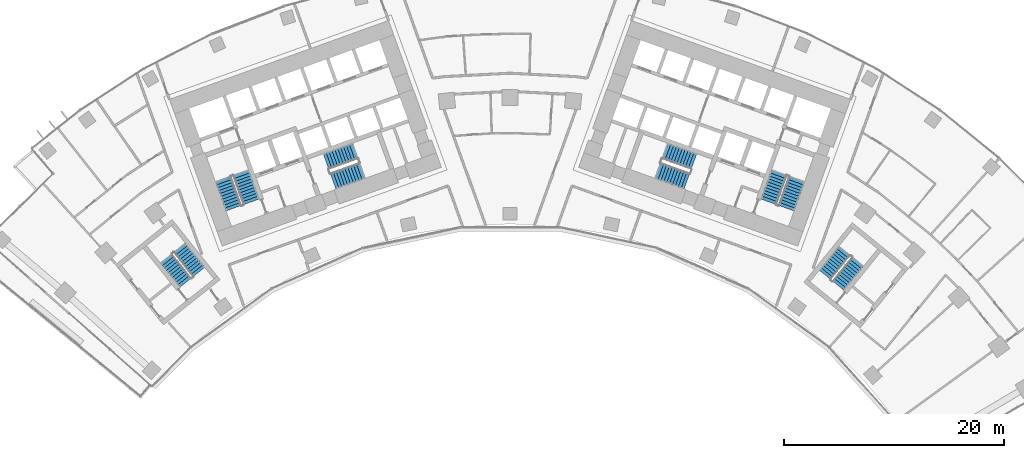
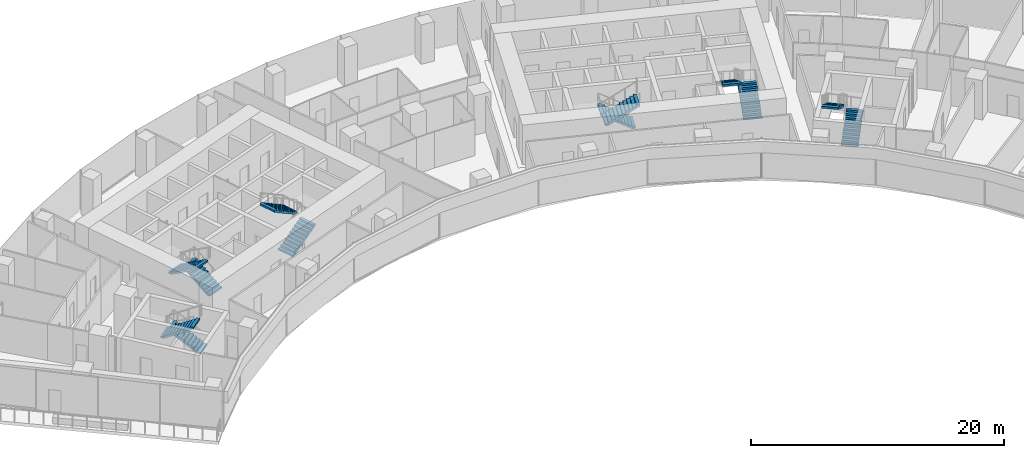
# One storey, part 19 of 21: 12 stair flights, 6 elements without a shape of their own.
"""IFC4 building model written with IfcOpenShell, lengths in metres."""

from ifc_helpers import new_model, si_unit, direction, frame, origin, place, context, subcontext, project, spatial, polyline, outline, extrude, material, type_object, element, aggregate, save


model = new_model("IFC4")

# Units and contexts
model_context = context("Model", 3, precision=1e-05, world=origin(), true_north=direction((0.0, 1.0)))
body_context = subcontext(model_context, "Body", "Model", "MODEL_VIEW")
ifc_project = project(units=[si_unit("LENGTHUNIT", "METRE"), si_unit("AREAUNIT", "SQUARE_METRE"), si_unit("VOLUMEUNIT", "CUBIC_METRE"), si_unit("PLANEANGLEUNIT", "RADIAN"), si_unit("MASSUNIT", "GRAM", prefix="KILO")], contexts=[model_context])

# Site, building, storey
site_placement = place(None, origin())
site = spatial("IfcSite", under=ifc_project, at=site_placement, CompositionType="ELEMENT")
building_placement = place(site_placement, origin())
building = spatial("IfcBuilding", under=site, at=building_placement, Name="Stone Belt Terrace Tower", CompositionType="ELEMENT")
storey_placement = place(building_placement, frame((0.0, 0.0, 113.60009765625)))
storey = spatial("IfcBuildingStorey", under=building, at=storey_placement, Name="L27", CompositionType="ELEMENT", Elevation=113.60009765625)

# Stair, stair flights
ifc_material = material(Name="Concrete B40", Category="concrete")
stair_type = type_object("IfcStairType", Name="Exit stair 1500", PredefinedType="HALF_TURN_STAIR", material=ifc_material)
stair_1_placement = place(storey_placement, origin())
stair_1 = element("IfcStair", 1, at=stair_1_placement, inside=storey, type_object=stair_type, Name="L27 Exit stair 1 core A", PredefinedType="HALF_TURN_STAIR")
stair_flight_type = type_object("IfcStairFlightType", Name="Stair flight 1500", PredefinedType="STRAIGHT", material=ifc_material)
stair_flight_1_placement = place(storey_placement, frame((-23.55322265625, 45.51318359375, 0.0), z_axis=(0.0, 0.0, 1.0), x_axis=(-0.338624396177, 0.940921632398, 0.0)))
stair_flight_1 = element("IfcStairFlight", 2, at=stair_flight_1_placement, type_object=stair_flight_type, Name="ST1A flight 1", NumberOfRisers=11, NumberOfTreads=10, PredefinedType="STRAIGHT", RiserHeight=0.172727273, TreadLength=0.28, context=body_context, shape_type="SweptSolid", body=[
    extrude(outline(polyline([(0.0, 0.0), (0.0, 0.172607421875), (0.280029296875, 0.172607421875), (0.280029296875, 0.345458984375), (0.56005859375, 0.345458984375), (0.56005859375, 0.51806640625), (0.840087890625, 0.51806640625), (0.840087890625, 0.69091796875), (1.1201171875, 0.69091796875), (1.1201171875, 0.863525390625), (1.39990234375, 0.863525390625), (1.39990234375, 1.036376953125), (1.679931640625, 1.036376953125), (1.679931640625, 1.208984375), (1.9599609375, 1.208984375), (1.9599609375, 1.3818359375), (2.239990234375, 1.3818359375), (2.239990234375, 1.554443359375), (2.52001953125, 1.554443359375), (2.52001953125, 1.727294921875), (2.800048828125, 1.727294921875), (2.800048828125, 1.89990234375), (2.800048828125, 1.551025390625), (0.285400390625, 0.0), (0.0, 0.0)])), frame((0.0, 0.75, 0.0), z_axis=(0.0, -1.0, 0.0), x_axis=(1.0, 0.0, 0.0)), (0.0, 0.0, 1.0), 1.5),
])
stair_flight_2_placement = place(storey_placement, frame((-26.10107421875, 47.572021484375, 1.89990234375), z_axis=(0.0, 0.0, 1.0), x_axis=(0.338624396177, -0.940921632398, 0.0)))
stair_flight_2 = element("IfcStairFlight", 3, at=stair_flight_2_placement, type_object=stair_flight_type, Name="ST1A flight 2", NumberOfRisers=11, NumberOfTreads=10, PredefinedType="STRAIGHT", RiserHeight=0.172727273, TreadLength=0.28, context=body_context, shape_type="SweptSolid", body=[
    extrude(outline(polyline([(0.0, 0.0), (0.0, 0.172607421875), (0.280029296875, 0.172607421875), (0.280029296875, 0.345458984375), (0.56005859375, 0.345458984375), (0.56005859375, 0.51806640625), (0.840087890625, 0.51806640625), (0.840087890625, 0.69091796875), (1.1201171875, 0.69091796875), (1.1201171875, 0.863525390625), (1.39990234375, 0.863525390625), (1.39990234375, 1.036376953125), (1.679931640625, 1.036376953125), (1.679931640625, 1.208984375), (1.9599609375, 1.208984375), (1.9599609375, 1.3818359375), (2.239990234375, 1.3818359375), (2.239990234375, 1.554443359375), (2.52001953125, 1.554443359375), (2.52001953125, 1.727294921875), (2.800048828125, 1.727294921875), (2.800048828125, 1.89990234375), (2.800048828125, 1.551025390625), (0.285400390625, 0.0), (0.0, 0.0)])), frame((0.0, 0.75, 0.0), z_axis=(0.0, -1.0, 0.0), x_axis=(1.0, 0.0, 0.0)), (0.0, 0.0, 1.0), 1.5),
])
aggregate(stair_1, [stair_flight_1, stair_flight_2])

stair_2_placement = place(storey_placement, origin())
stair_2 = element("IfcStair", 4, at=stair_2_placement, inside=storey, type_object=stair_type, Name="L27 Exit stair 2 core A", PredefinedType="HALF_TURN_STAIR")
stair_flight_3_placement = place(storey_placement, frame((-16.101318359375, 47.39794921875, 0.0), z_axis=(0.0, 0.0, 1.0), x_axis=(0.940921632398, 0.338624396177, 0.0)))
stair_flight_3 = element("IfcStairFlight", 5, at=stair_flight_3_placement, type_object=stair_flight_type, Name="ST2A flight 1", NumberOfRisers=11, NumberOfTreads=10, PredefinedType="STRAIGHT", RiserHeight=0.172727273, TreadLength=0.28, context=body_context, shape_type="SweptSolid", body=[
    extrude(outline(polyline([(0.0, 0.0), (0.0, 0.172607421875), (0.280029296875, 0.172607421875), (0.280029296875, 0.345458984375), (0.56005859375, 0.345458984375), (0.56005859375, 0.51806640625), (0.840087890625, 0.51806640625), (0.840087890625, 0.69091796875), (1.1201171875, 0.69091796875), (1.1201171875, 0.863525390625), (1.39990234375, 0.863525390625), (1.39990234375, 1.036376953125), (1.679931640625, 1.036376953125), (1.679931640625, 1.208984375), (1.9599609375, 1.208984375), (1.9599609375, 1.3818359375), (2.239990234375, 1.3818359375), (2.239990234375, 1.554443359375), (2.52001953125, 1.554443359375), (2.52001953125, 1.727294921875), (2.800048828125, 1.727294921875), (2.800048828125, 1.89990234375), (2.800048828125, 1.551025390625), (0.285400390625, 0.0), (0.0, 0.0)])), frame((0.0, 0.75, 0.0), z_axis=(0.0, -1.0, 0.0), x_axis=(1.0, 0.0, 0.0)), (0.0, 0.0, 1.0), 1.5),
])
stair_flight_4_placement = place(storey_placement, frame((-14.110107421875, 50.1337890625, 1.89990234375), z_axis=(0.0, 0.0, 1.0), x_axis=(-0.940921632398, -0.338624396177, 0.0)))
stair_flight_4 = element("IfcStairFlight", 6, at=stair_flight_4_placement, type_object=stair_flight_type, Name="ST2A flight 2", NumberOfRisers=11, NumberOfTreads=10, PredefinedType="STRAIGHT", RiserHeight=0.172727273, TreadLength=0.28, context=body_context, shape_type="SweptSolid", body=[
    extrude(outline(polyline([(0.0, 0.0), (0.0, 0.172607421875), (0.280029296875, 0.172607421875), (0.280029296875, 0.345458984375), (0.56005859375, 0.345458984375), (0.56005859375, 0.51806640625), (0.840087890625, 0.51806640625), (0.840087890625, 0.69091796875), (1.1201171875, 0.69091796875), (1.1201171875, 0.863525390625), (1.39990234375, 0.863525390625), (1.39990234375, 1.036376953125), (1.679931640625, 1.036376953125), (1.679931640625, 1.208984375), (1.9599609375, 1.208984375), (1.9599609375, 1.3818359375), (2.239990234375, 1.3818359375), (2.239990234375, 1.554443359375), (2.52001953125, 1.554443359375), (2.52001953125, 1.727294921875), (2.800048828125, 1.727294921875), (2.800048828125, 1.89990234375), (2.800048828125, 1.551025390625), (0.285400390625, 0.0), (0.0, 0.0)])), frame((0.0, 0.75, 0.0), z_axis=(0.0, -1.0, 0.0), x_axis=(1.0, 0.0, 0.0)), (0.0, 0.0, 1.0), 1.5),
])
aggregate(stair_2, [stair_flight_3, stair_flight_4])

stair_3_placement = place(storey_placement, origin())
stair_3 = element("IfcStair", 7, at=stair_3_placement, inside=storey, type_object=stair_type, Name="L27 Exit stair 1 core B", PredefinedType="HALF_TURN_STAIR")
stair_flight_5_placement = place(storey_placement, frame((25.15283203125, 44.9375, 0.0), z_axis=(0.0, 0.0, 1.0), x_axis=(0.338624396177, 0.940921632398, 0.0)))
stair_flight_5 = element("IfcStairFlight", 8, at=stair_flight_5_placement, type_object=stair_flight_type, Name="ST1B flight 1", NumberOfRisers=11, NumberOfTreads=10, PredefinedType="STRAIGHT", RiserHeight=0.172727273, TreadLength=0.28, context=body_context, shape_type="SweptSolid", body=[
    extrude(outline(polyline([(0.0, 0.0), (0.0, 0.172607421875), (0.280029296875, 0.172607421875), (0.280029296875, 0.345458984375), (0.56005859375, 0.345458984375), (0.56005859375, 0.51806640625), (0.840087890625, 0.51806640625), (0.840087890625, 0.69091796875), (1.1201171875, 0.69091796875), (1.1201171875, 0.863525390625), (1.39990234375, 0.863525390625), (1.39990234375, 1.036376953125), (1.679931640625, 1.036376953125), (1.679931640625, 1.208984375), (1.9599609375, 1.208984375), (1.9599609375, 1.3818359375), (2.239990234375, 1.3818359375), (2.239990234375, 1.554443359375), (2.52001953125, 1.554443359375), (2.52001953125, 1.727294921875), (2.800048828125, 1.727294921875), (2.800048828125, 1.89990234375), (2.800048828125, 1.551025390625), (0.285400390625, 0.0), (0.0, 0.0)])), frame((0.0, 0.75, 0.0), z_axis=(0.0, -1.0, 0.0), x_axis=(1.0, 0.0, 0.0)), (0.0, 0.0, 1.0), 1.5),
])
stair_flight_6_placement = place(storey_placement, frame((24.50146484375, 48.147705078125, 1.89990234375), z_axis=(0.0, 0.0, 1.0), x_axis=(-0.338624396177, -0.940921632398, 0.0)))
stair_flight_6 = element("IfcStairFlight", 9, at=stair_flight_6_placement, type_object=stair_flight_type, Name="ST1B flight 2", NumberOfRisers=11, NumberOfTreads=10, PredefinedType="STRAIGHT", RiserHeight=0.172727273, TreadLength=0.28, context=body_context, shape_type="SweptSolid", body=[
    extrude(outline(polyline([(0.0, 0.0), (0.0, 0.172607421875), (0.280029296875, 0.172607421875), (0.280029296875, 0.345458984375), (0.56005859375, 0.345458984375), (0.56005859375, 0.51806640625), (0.840087890625, 0.51806640625), (0.840087890625, 0.69091796875), (1.1201171875, 0.69091796875), (1.1201171875, 0.863525390625), (1.39990234375, 0.863525390625), (1.39990234375, 1.036376953125), (1.679931640625, 1.036376953125), (1.679931640625, 1.208984375), (1.9599609375, 1.208984375), (1.9599609375, 1.3818359375), (2.239990234375, 1.3818359375), (2.239990234375, 1.554443359375), (2.52001953125, 1.554443359375), (2.52001953125, 1.727294921875), (2.800048828125, 1.727294921875), (2.800048828125, 1.89990234375), (2.800048828125, 1.551025390625), (0.285400390625, 0.0), (0.0, 0.0)])), frame((0.0, 0.75, 0.0), z_axis=(0.0, -1.0, 0.0), x_axis=(1.0, 0.0, 0.0)), (0.0, 0.0, 1.0), 1.5),
])
aggregate(stair_3, [stair_flight_5, stair_flight_6])

stair_4_placement = place(storey_placement, origin())
stair_4 = element("IfcStair", 10, at=stair_4_placement, inside=storey, type_object=stair_type, Name="L27 Exit stair 2 core B", PredefinedType="HALF_TURN_STAIR")
stair_flight_7_placement = place(storey_placement, frame((16.74462890625, 49.185546875, 0.0), z_axis=(0.0, 0.0, 1.0), x_axis=(-0.940921632398, 0.338624396177, 0.0)))
stair_flight_7 = element("IfcStairFlight", 11, at=stair_flight_7_placement, type_object=stair_flight_type, Name="ST2B flight 1", NumberOfRisers=11, NumberOfTreads=10, PredefinedType="STRAIGHT", RiserHeight=0.172727273, TreadLength=0.28, context=body_context, shape_type="SweptSolid", body=[
    extrude(outline(polyline([(0.0, 0.0), (0.0, 0.172607421875), (0.280029296875, 0.172607421875), (0.280029296875, 0.345458984375), (0.56005859375, 0.345458984375), (0.56005859375, 0.51806640625), (0.840087890625, 0.51806640625), (0.840087890625, 0.69091796875), (1.1201171875, 0.69091796875), (1.1201171875, 0.863525390625), (1.39990234375, 0.863525390625), (1.39990234375, 1.036376953125), (1.679931640625, 1.036376953125), (1.679931640625, 1.208984375), (1.9599609375, 1.208984375), (1.9599609375, 1.3818359375), (2.239990234375, 1.3818359375), (2.239990234375, 1.554443359375), (2.52001953125, 1.554443359375), (2.52001953125, 1.727294921875), (2.800048828125, 1.727294921875), (2.800048828125, 1.89990234375), (2.800048828125, 1.551025390625), (0.285400390625, 0.0), (0.0, 0.0)])), frame((0.0, 0.75, 0.0), z_axis=(0.0, -1.0, 0.0), x_axis=(1.0, 0.0, 0.0)), (0.0, 0.0, 1.0), 1.5),
])
stair_flight_8_placement = place(storey_placement, frame((13.466796875, 48.345947265625, 1.89990234375), z_axis=(0.0, 0.0, 1.0), x_axis=(0.940921632398, -0.338624396177, 0.0)))
stair_flight_8 = element("IfcStairFlight", 12, at=stair_flight_8_placement, type_object=stair_flight_type, Name="ST2B flight 2", NumberOfRisers=11, NumberOfTreads=10, PredefinedType="STRAIGHT", RiserHeight=0.172727273, TreadLength=0.28, context=body_context, shape_type="SweptSolid", body=[
    extrude(outline(polyline([(0.0, 0.0), (0.0, 0.172607421875), (0.280029296875, 0.172607421875), (0.280029296875, 0.345458984375), (0.56005859375, 0.345458984375), (0.56005859375, 0.51806640625), (0.840087890625, 0.51806640625), (0.840087890625, 0.69091796875), (1.1201171875, 0.69091796875), (1.1201171875, 0.863525390625), (1.39990234375, 0.863525390625), (1.39990234375, 1.036376953125), (1.679931640625, 1.036376953125), (1.679931640625, 1.208984375), (1.9599609375, 1.208984375), (1.9599609375, 1.3818359375), (2.239990234375, 1.3818359375), (2.239990234375, 1.554443359375), (2.52001953125, 1.554443359375), (2.52001953125, 1.727294921875), (2.800048828125, 1.727294921875), (2.800048828125, 1.89990234375), (2.800048828125, 1.551025390625), (0.285400390625, 0.0), (0.0, 0.0)])), frame((0.0, 0.75, 0.0), z_axis=(0.0, -1.0, 0.0), x_axis=(1.0, 0.0, 0.0)), (0.0, 0.0, 1.0), 1.5),
])
aggregate(stair_4, [stair_flight_7, stair_flight_8])

stair_5_placement = place(storey_placement, origin())
stair_5 = element("IfcStair", 13, at=stair_5_placement, inside=storey, type_object=stair_type, Name="L27 Exit stair 3A", PredefinedType="HALF_TURN_STAIR")
stair_flight_9_placement = place(storey_placement, frame((-28.325439453125, 39.1240234375, 0.0), z_axis=(0.0, 0.0, 1.0), x_axis=(-0.623121363691, 0.782125160132, 0.0)))
stair_flight_9 = element("IfcStairFlight", 14, at=stair_flight_9_placement, type_object=stair_flight_type, Name="ST3A flight 1", NumberOfRisers=11, NumberOfTreads=10, PredefinedType="STRAIGHT", RiserHeight=0.172727273, TreadLength=0.28, context=body_context, shape_type="SweptSolid", body=[
    extrude(outline(polyline([(0.0, 0.0), (0.0, 0.172607421875), (0.280029296875, 0.172607421875), (0.280029296875, 0.345458984375), (0.56005859375, 0.345458984375), (0.56005859375, 0.51806640625), (0.840087890625, 0.51806640625), (0.840087890625, 0.69091796875), (1.1201171875, 0.69091796875), (1.1201171875, 0.863525390625), (1.39990234375, 0.863525390625), (1.39990234375, 1.036376953125), (1.679931640625, 1.036376953125), (1.679931640625, 1.208984375), (1.9599609375, 1.208984375), (1.9599609375, 1.3818359375), (2.239990234375, 1.3818359375), (2.239990234375, 1.554443359375), (2.52001953125, 1.554443359375), (2.52001953125, 1.727294921875), (2.800048828125, 1.727294921875), (2.800048828125, 1.89990234375), (2.800048828125, 1.551025390625), (0.285400390625, 0.0), (0.0, 0.0)])), frame((0.0, 0.675048828125, 0.0), z_axis=(0.0, -1.0, 0.0), x_axis=(1.0, 0.0, 0.0)), (0.0, 0.0, 1.0), 1.35009765625),
])
stair_flight_10_placement = place(storey_placement, frame((-31.282470703125, 40.34814453125, 1.89990234375), z_axis=(0.0, 0.0, 1.0), x_axis=(0.623121363691, -0.782125160132, 0.0)))
stair_flight_10 = element("IfcStairFlight", 15, at=stair_flight_10_placement, type_object=stair_flight_type, Name="ST3A flight 2", NumberOfRisers=11, NumberOfTreads=10, PredefinedType="STRAIGHT", RiserHeight=0.172727273, TreadLength=0.28, context=body_context, shape_type="SweptSolid", body=[
    extrude(outline(polyline([(0.0, 0.0), (0.0, 0.172607421875), (0.280029296875, 0.172607421875), (0.280029296875, 0.345458984375), (0.56005859375, 0.345458984375), (0.56005859375, 0.51806640625), (0.840087890625, 0.51806640625), (0.840087890625, 0.69091796875), (1.1201171875, 0.69091796875), (1.1201171875, 0.863525390625), (1.39990234375, 0.863525390625), (1.39990234375, 1.036376953125), (1.679931640625, 1.036376953125), (1.679931640625, 1.208984375), (1.9599609375, 1.208984375), (1.9599609375, 1.3818359375), (2.239990234375, 1.3818359375), (2.239990234375, 1.554443359375), (2.52001953125, 1.554443359375), (2.52001953125, 1.727294921875), (2.800048828125, 1.727294921875), (2.800048828125, 1.89990234375), (2.800048828125, 1.551025390625), (0.285400390625, 0.0), (0.0, 0.0)])), frame((0.0, 0.675048828125, 0.0), z_axis=(0.0, -1.0, 0.0), x_axis=(1.0, 0.0, 0.0)), (0.0, 0.0, 1.0), 1.35009765625),
])
aggregate(stair_5, [stair_flight_9, stair_flight_10])

stair_6_placement = place(storey_placement, origin())
stair_6 = element("IfcStair", 16, at=stair_6_placement, inside=storey, type_object=stair_type, Name="L27 Exit stair 3B", PredefinedType="HALF_TURN_STAIR")
stair_flight_11_placement = place(storey_placement, frame((29.88330078125, 37.887939453125, 0.0), z_axis=(0.0, 0.0, 1.0), x_axis=(0.630205749599, 0.776428176441, 0.0)))
stair_flight_11 = element("IfcStairFlight", 17, at=stair_flight_11_placement, type_object=stair_flight_type, Name="ST3B flight 1", NumberOfRisers=11, NumberOfTreads=10, PredefinedType="STRAIGHT", RiserHeight=0.172727273, TreadLength=0.28, context=body_context, shape_type="SweptSolid", body=[
    extrude(outline(polyline([(0.0, 0.0), (0.0, 0.172607421875), (0.280029296875, 0.172607421875), (0.280029296875, 0.345458984375), (0.56005859375, 0.345458984375), (0.56005859375, 0.51806640625), (0.840087890625, 0.51806640625), (0.840087890625, 0.69091796875), (1.1201171875, 0.69091796875), (1.1201171875, 0.863525390625), (1.39990234375, 0.863525390625), (1.39990234375, 1.036376953125), (1.679931640625, 1.036376953125), (1.679931640625, 1.208984375), (1.9599609375, 1.208984375), (1.9599609375, 1.3818359375), (2.239990234375, 1.3818359375), (2.239990234375, 1.554443359375), (2.52001953125, 1.554443359375), (2.52001953125, 1.727294921875), (2.800048828125, 1.727294921875), (2.800048828125, 1.89990234375), (2.800048828125, 1.551025390625), (0.285400390625, 0.0), (0.0, 0.0)])), frame((0.0, 0.675048828125, 0.0), z_axis=(0.0, -1.0, 0.0), x_axis=(1.0, 0.0, 0.0)), (0.0, 0.0, 1.0), 1.35009765625),
])
stair_flight_12_placement = place(storey_placement, frame((30.4443359375, 41.038818359375, 1.89990234375), z_axis=(0.0, 0.0, 1.0), x_axis=(-0.630205749599, -0.776428176441, 0.0)))
stair_flight_12 = element("IfcStairFlight", 18, at=stair_flight_12_placement, type_object=stair_flight_type, Name="ST3B flight 2", NumberOfRisers=11, NumberOfTreads=10, PredefinedType="STRAIGHT", RiserHeight=0.172727273, TreadLength=0.28, context=body_context, shape_type="SweptSolid", body=[
    extrude(outline(polyline([(0.0, 0.0), (0.0, 0.172607421875), (0.280029296875, 0.172607421875), (0.280029296875, 0.345458984375), (0.56005859375, 0.345458984375), (0.56005859375, 0.51806640625), (0.840087890625, 0.51806640625), (0.840087890625, 0.69091796875), (1.1201171875, 0.69091796875), (1.1201171875, 0.863525390625), (1.39990234375, 0.863525390625), (1.39990234375, 1.036376953125), (1.679931640625, 1.036376953125), (1.679931640625, 1.208984375), (1.9599609375, 1.208984375), (1.9599609375, 1.3818359375), (2.239990234375, 1.3818359375), (2.239990234375, 1.554443359375), (2.52001953125, 1.554443359375), (2.52001953125, 1.727294921875), (2.800048828125, 1.727294921875), (2.800048828125, 1.89990234375), (2.800048828125, 1.551025390625), (0.285400390625, 0.0), (0.0, 0.0)])), frame((0.0, 0.675048828125, 0.0), z_axis=(0.0, -1.0, 0.0), x_axis=(1.0, 0.0, 0.0)), (0.0, 0.0, 1.0), 1.35009765625),
])
aggregate(stair_6, [stair_flight_11, stair_flight_12])

save(model, "model.ifc")
